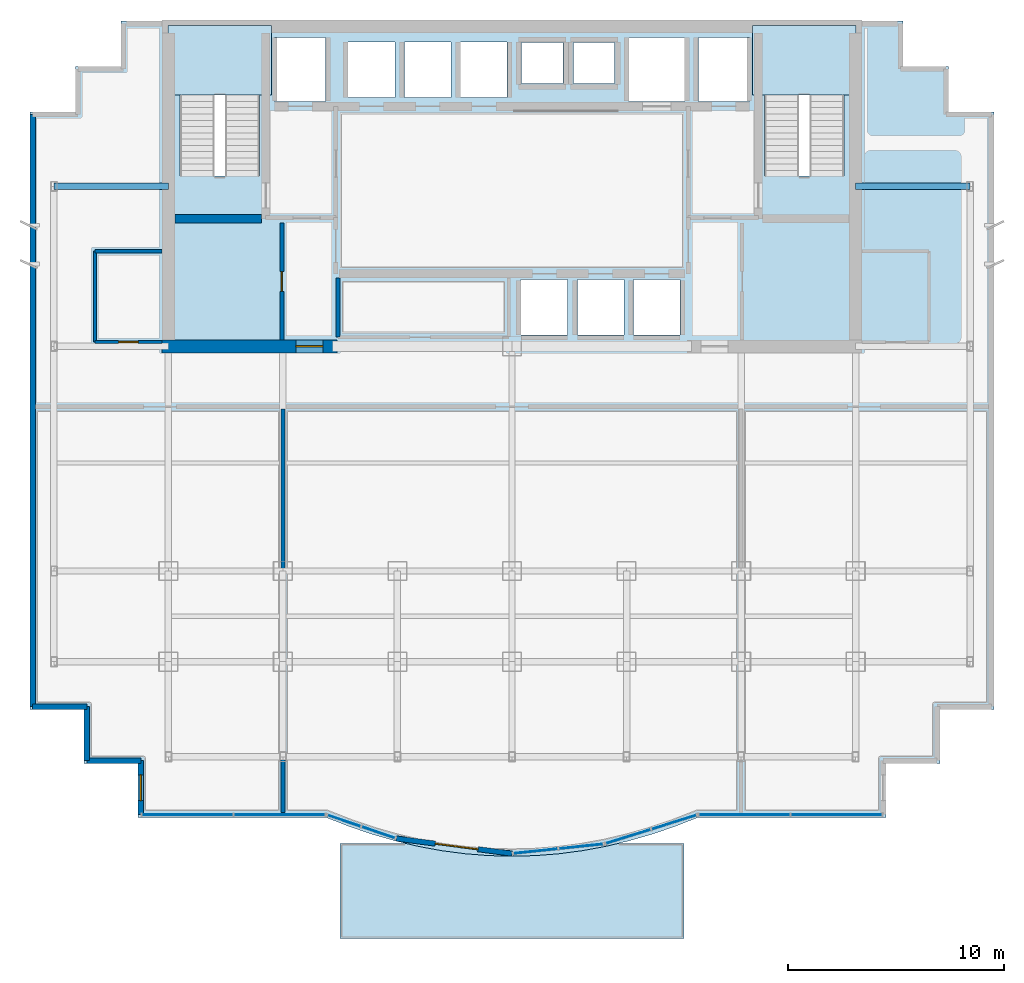
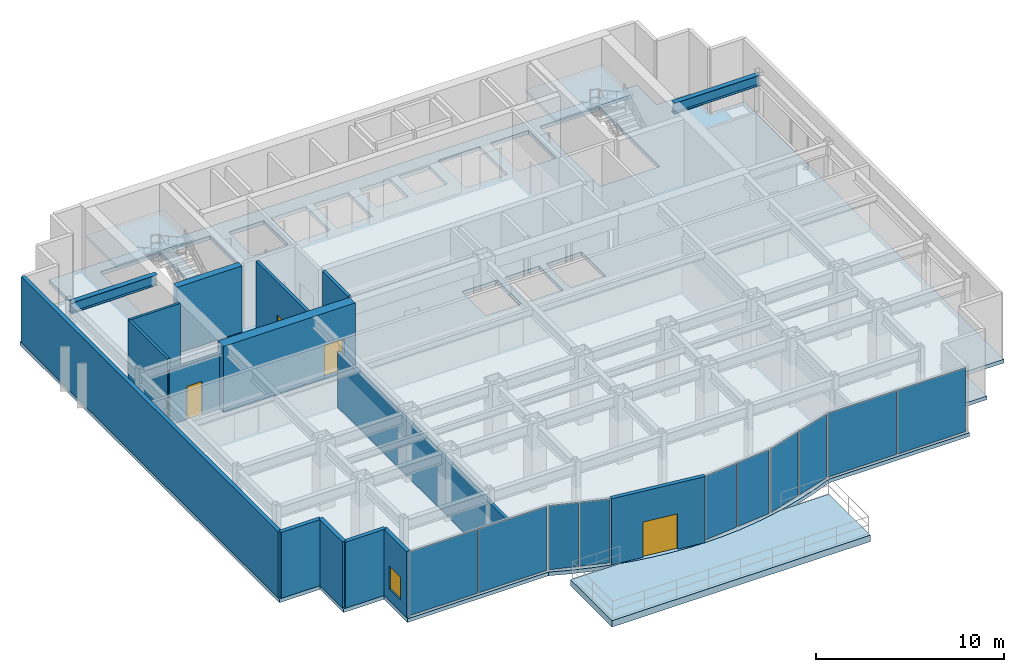
# One storey, part 5 of 9: 14 walls, 10 plates, 4 doors, 4 slabs, 2 beams, 1 window, 5 openings, 7 elements without a shape of their own.
"""IFC4 building model written with IfcOpenShell, lengths in metres."""

from ifc_helpers import new_model, si_unit, direction, frame, frame_2d, origin, origin_2d, place, context, subcontext, project, spatial, polyline, rectangle, i_section, outline, extrude, source, transform, mapped, material, layer, layer_set, material_profile, profile_set, type_object, element, fill, aggregate, save


model = new_model("IFC4")

# Units and contexts
model_context = context("Model", 3, precision=1e-05, world=origin(), true_north=direction((0.0, 1.0)))
body_context = subcontext(model_context, "Body", "Model", "MODEL_VIEW")
ifc_project = project(units=[si_unit("LENGTHUNIT", "METRE"), si_unit("AREAUNIT", "SQUARE_METRE"), si_unit("VOLUMEUNIT", "CUBIC_METRE"), si_unit("PLANEANGLEUNIT", "RADIAN"), si_unit("MASSUNIT", "GRAM", prefix="KILO")], contexts=[model_context])

# Site, building, storey
site_placement = place(None, origin())
site = spatial("IfcSite", under=ifc_project, at=site_placement, CompositionType="ELEMENT")
building_placement = place(site_placement, origin())
building = spatial("IfcBuilding", under=site, at=building_placement, Name="Qianlan Lanfeng Residences", CompositionType="ELEMENT")
storey_placement = place(building_placement, frame((0.0, 0.0, 134.699951171875)))
storey = spatial("IfcBuildingStorey", under=building, at=storey_placement, Name="L36", CompositionType="ELEMENT", Elevation=134.699951171875)

# Beams
ifc_material_1 = material(Name="Steel SN490B", Category="steel")
ifc_material_profile = material_profile(ifc_material_1, i_section(OverallWidth=0.300048828125, OverallDepth=0.699951171875, WebThickness=0.012939453125, FlangeThickness=0.02392578125, at=origin_2d()), Name="H 700x300x13x24")
ifc_profile_set = profile_set([ifc_material_profile], Name="Steel SN490B")
beam_type = type_object("IfcBeamType", Name="G-750", PredefinedType="BEAM", material=ifc_profile_set)
for number, where, z_axis, x_axis, name in (
    (1, (5.300048828125, 32.60009765625, 3.949951171875), (1.0, 0.0, 0.0), (0.0, 1.0, 0.0), "Structural beam G-750"),
    (2, (42.39990234375, 32.60009765625, 3.949951171875), (1.0, 0.0, 0.0), (0.0, 1.0, 0.0), "Structural beam G-750"),
):
    element("IfcBeam", number, at=place(storey_placement, frame(where, z_axis=z_axis, x_axis=x_axis)), inside=storey, type_object=beam_type, Name=name, PredefinedType="BEAM", context=body_context, shape_type="SweptSolid", body=[
        extrude(i_section(OverallWidth=0.300048828125, OverallDepth=0.699951171875, WebThickness=0.012939453125, FlangeThickness=0.02392578125, at=origin_2d()), origin(), (0.0, 0.0, 1.0), 5.300048828125),
    ])

# Slab
ifc_material_2 = material(Name="Concrete C49", Category="concrete")
ifc_layer_1 = layer(ifc_material_2, 0.239990234375)
ifc_layer_set_1 = layer_set([ifc_layer_1], Name="Concrete C49")
slab_type_1 = type_object("IfcSlabType", Name="S-FL-240", PredefinedType="FLOOR", material=ifc_layer_set_1)
slab_1_placement = place(storey_placement, frame((0.0, 0.0, -0.239990234375)))
element("IfcSlab", 3, at=slab_1_placement, inside=storey, type_object=slab_type_1, Name="L36 Structural Floor Slab", PredefinedType="FLOOR", context=body_context, shape_type="SweptSolid", body=[
    extrude(outline(polyline([(4.199951171875, 8.39990234375), (6.699951171875, 8.39990234375), (6.699951171875, 5.89990234375), (9.199951171875, 5.89990234375), (9.199951171875, 3.39990234375), (17.8798828125, 3.39990234375), (18.95703125, 2.97802734375), (20.034912109375, 2.612060546875), (21.112060546875, 2.302978515625), (22.18994140625, 2.050048828125), (23.26708984375, 1.85302734375), (24.344970703125, 1.712890625), (25.422119140625, 1.6279296875), (26.5, 1.60009765625), (27.577880859375, 1.6279296875), (28.655029296875, 1.7119140625), (29.73193359375, 1.85302734375), (30.81005859375, 2.050048828125), (31.886962890625, 2.302978515625), (32.965087890625, 2.612060546875), (34.0419921875, 2.97802734375), (35.1201171875, 3.39990234375), (43.800048828125, 3.39990234375), (43.800048828125, 5.89990234375), (46.300048828125, 5.89990234375), (46.300048828125, 8.39990234375), (48.800048828125, 8.39990234375), (48.800048828125, 36.050048828125), (46.699951171875, 36.050048828125), (46.699951171875, 38.14990234375), (44.60009765625, 38.14990234375), (44.60009765625, 40.25), (8.39990234375, 40.25), (8.39990234375, 38.14990234375), (6.300048828125, 38.14990234375), (6.300048828125, 36.050048828125), (4.199951171875, 36.050048828125), (4.199951171875, 8.39990234375)]), holes=[polyline([(11.139892578125, 33.080078125), (11.139892578125, 39.5), (14.820068359375, 39.5), (14.820068359375, 33.080078125), (11.139892578125, 33.080078125)]), polyline([(38.179931640625, 33.080078125), (38.179931640625, 39.5), (41.860107421875, 39.5), (41.860107421875, 33.080078125), (38.179931640625, 33.080078125)]), polyline([(15.52001953125, 36.52001953125), (15.52001953125, 39.47998046875), (17.8798828125, 39.47998046875), (17.8798828125, 36.52001953125), (15.52001953125, 36.52001953125)]), polyline([(35.1201171875, 36.52001953125), (35.1201171875, 39.47998046875), (37.47998046875, 39.47998046875), (37.47998046875, 36.52001953125), (35.1201171875, 36.52001953125)]), polyline([(31.919921875, 36.52001953125), (31.919921875, 39.47998046875), (34.47998046875, 39.47998046875), (34.47998046875, 36.52001953125), (31.919921875, 36.52001953125)]), polyline([(26.919921875, 25.719970703125), (26.919921875, 28.280029296875), (29.080078125, 28.280029296875), (29.080078125, 25.719970703125), (26.919921875, 25.719970703125)]), polyline([(29.52001953125, 25.719970703125), (29.52001953125, 28.280029296875), (31.679931640625, 28.280029296875), (31.679931640625, 25.719970703125), (29.52001953125, 25.719970703125)]), polyline([(32.1201171875, 25.719970703125), (32.1201171875, 28.280029296875), (34.280029296875, 28.280029296875), (34.280029296875, 25.719970703125), (32.1201171875, 25.719970703125)]), polyline([(18.919921875, 36.719970703125), (18.919921875, 39.280029296875), (21.080078125, 39.280029296875), (21.080078125, 36.719970703125), (18.919921875, 36.719970703125)]), polyline([(21.52001953125, 36.719970703125), (21.52001953125, 39.280029296875), (23.679931640625, 39.280029296875), (23.679931640625, 36.719970703125), (21.52001953125, 36.719970703125)]), polyline([(24.1201171875, 36.719970703125), (24.1201171875, 39.280029296875), (26.280029296875, 39.280029296875), (26.280029296875, 36.719970703125), (24.1201171875, 36.719970703125)]), polyline([(26.949951171875, 37.35009765625), (26.949951171875, 39.25), (28.85009765625, 39.25), (28.85009765625, 37.35009765625), (26.949951171875, 37.35009765625)]), polyline([(29.35009765625, 37.35009765625), (29.35009765625, 39.25), (31.25, 39.25), (31.25, 37.35009765625), (29.35009765625, 37.35009765625)])]), origin(), (0.0, 0.0, 1.0), 0.239990234375),
])

# Stair, slab
ifc_material_3 = material(Name="Concrete C42", Category="concrete")
stair_type = type_object("IfcStairType", Name="STR-MAIN", PredefinedType="HALF_TURN_STAIR", material=ifc_material_3)
stair_1_placement = place(storey_placement, origin())
stair_1 = element("IfcStair", 4, at=stair_1_placement, inside=storey, type_object=stair_type, Name="L36 Exit Stair ST-1", PredefinedType="HALF_TURN_STAIR")
ifc_layer_2 = layer(ifc_material_3, 0.179931640625)
ifc_layer_set_2 = layer_set([ifc_layer_2], Name="Concrete C42")
slab_type_2 = type_object("IfcSlabType", Name="S-LND-180", PredefinedType="LANDING", material=ifc_layer_set_2)
slab_2_placement = place(storey_placement, frame((0.0, 0.0, 2.050048828125)))
slab_2 = element("IfcSlab", 5, at=slab_2_placement, type_object=slab_type_2, Name="ST-1 landing 1", PredefinedType="LANDING", context=body_context, shape_type="SweptSolid", body=[
    extrude(outline(polyline([(10.580078125, 36.820068359375), (15.3798828125, 36.820068359375), (15.3798828125, 40.050048828125), (10.580078125, 40.050048828125), (10.580078125, 36.820068359375)])), origin(), (0.0, 0.0, 1.0), 0.199951171875),
])
aggregate(stair_1, [slab_2])

stair_2_placement = place(storey_placement, origin())
stair_2 = element("IfcStair", 6, at=stair_2_placement, inside=storey, type_object=stair_type, Name="L36 Exit Stair ST-2", PredefinedType="HALF_TURN_STAIR")
slab_3_placement = place(storey_placement, frame((0.0, 0.0, 2.050048828125)))
slab_3 = element("IfcSlab", 7, at=slab_3_placement, type_object=slab_type_2, Name="ST-2 landing 1", PredefinedType="LANDING", context=body_context, shape_type="SweptSolid", body=[
    extrude(outline(polyline([(37.6201171875, 36.820068359375), (42.419921875, 36.820068359375), (42.419921875, 40.050048828125), (37.6201171875, 40.050048828125), (37.6201171875, 36.820068359375)])), origin(), (0.0, 0.0, 1.0), 0.199951171875),
])
aggregate(stair_2, [slab_3])

# Slab
ifc_material_4 = material(Name="Concrete C56", Category="concrete")
ifc_layer_3 = layer(ifc_material_4, 0.419921875)
ifc_layer_set_3 = layer_set([ifc_layer_3], Name="Concrete C56")
slab_type_3 = type_object("IfcSlabType", Name="S-POOL-420", PredefinedType="FLOOR", material=ifc_layer_set_3)
slab_4_placement = place(storey_placement, frame((0.0, 0.0, -0.419921875)))
element("IfcSlab", 8, at=slab_4_placement, inside=storey, type_object=slab_type_3, Name="L36 Cantilevered Sky Pool Deck Slab", PredefinedType="FLOOR", context=body_context, shape_type="SweptSolid", body=[
    extrude(outline(polyline([(31.448974609375, 2.199951171875), (30.81005859375, 2.050048828125), (29.73193359375, 1.85302734375), (28.655029296875, 1.7119140625), (27.577880859375, 1.6279296875), (26.5, 1.60009765625), (25.422119140625, 1.6279296875), (24.344970703125, 1.712890625), (23.26708984375, 1.85302734375), (22.18994140625, 2.050048828125), (21.551025390625, 2.199951171875), (18.550048828125, 2.199951171875), (18.550048828125, -2.199951171875), (34.449951171875, -2.199951171875), (34.449951171875, 2.199951171875), (31.448974609375, 2.199951171875)])), origin(), (0.0, 0.0, 1.0), 0.419921875),
])

# Curtain wall, plates
ifc_material_5 = material(Name="Anodised Bronze Aluminium 6063-T6", Category="aluminium")
ifc_layer_4 = layer(ifc_material_5, 0.219970703125)
ifc_layer_set_4 = layer_set([ifc_layer_4], Name="Anodised Bronze Aluminium 6063-T6")
curtain_wall_type = type_object("IfcCurtainWallType", Name="CW-04", PredefinedType="NOTDEFINED", material=ifc_layer_set_4)
curtain_wall_1_placement = place(storey_placement, origin())
curtain_wall_1 = element("IfcCurtainWall", 9, at=curtain_wall_1_placement, inside=storey, type_object=curtain_wall_type, Name="L36 Unitised Curtain Wall CWR-L36-01 (CW-04)", PredefinedType="NOTDEFINED")
ifc_material_6 = material(Name="Clear Low-E Insulated Glass", Category="glass")
ifc_layer_5 = layer(ifc_material_6, 0.035888671875)
ifc_layer_set_5 = layer_set([ifc_layer_5], Name="Clear Low-E Insulated Glass")
plate_type_1 = type_object("IfcPlateType", Name="PNL-GLZ-CLR", PredefinedType="CURTAIN_PANEL", material=ifc_layer_set_5)
shared_shape_1 = source(origin(), body_context, "Body", "SweptSolid", [
    extrude(rectangle(XDim=4.180908203125, YDim=0.035888671875, at=origin_2d()), origin(), (0.0, 0.0, 1.0), 4.152099609375),
])
plate_1_placement = place(storey_placement, frame((11.484619140625, 3.52001953125, 0.07421875), z_axis=(0.0, 0.0, 1.0), x_axis=(1.0, 0.0, 0.0)))
plate_1 = element("IfcPlate", 10, at=plate_1_placement, type_object=plate_type_1, Name="CWR-L36-01 Curtain Panel 1", PredefinedType="CURTAIN_PANEL", context=body_context, shape_type="MappedRepresentation", body=[
    mapped(shared_shape_1, transform((0.0, 0.0, 0.0), scale=1.0)),
])
plate_2_placement = place(storey_placement, frame((15.738525390625, 3.52001953125, 0.07421875), z_axis=(0.0, 0.0, 1.0), x_axis=(1.0, 0.0, 0.0)))
plate_2 = element("IfcPlate", 11, at=plate_2_placement, type_object=plate_type_1, Name="CWR-L36-01 Curtain Panel 2", PredefinedType="CURTAIN_PANEL", context=body_context, shape_type="MappedRepresentation", body=[
    mapped(shared_shape_1, transform((0.0, 0.0, 0.0), scale=1.0)),
])
aggregate(curtain_wall_1, [plate_1, plate_2])

curtain_wall_2_placement = place(storey_placement, origin())
curtain_wall_2 = element("IfcCurtainWall", 12, at=curtain_wall_2_placement, inside=storey, type_object=curtain_wall_type, Name="L36 Unitised Curtain Wall CWR-L36-05 (CW-04)", PredefinedType="NOTDEFINED")
plate_3_placement = place(storey_placement, frame((37.261474609375, 3.52001953125, 0.07421875), z_axis=(0.0, 0.0, 1.0), x_axis=(1.0, 0.0, 0.0)))
plate_3 = element("IfcPlate", 13, at=plate_3_placement, type_object=plate_type_1, Name="CWR-L36-05 Curtain Panel 1", PredefinedType="CURTAIN_PANEL", context=body_context, shape_type="MappedRepresentation", body=[
    mapped(shared_shape_1, transform((0.0, 0.0, 0.0), scale=1.0)),
])
plate_4_placement = place(storey_placement, frame((41.515380859375, 3.52001953125, 0.07421875), z_axis=(0.0, 0.0, 1.0), x_axis=(1.0, 0.0, 0.0)))
plate_4 = element("IfcPlate", 14, at=plate_4_placement, type_object=plate_type_1, Name="CWR-L36-05 Curtain Panel 2", PredefinedType="CURTAIN_PANEL", context=body_context, shape_type="MappedRepresentation", body=[
    mapped(shared_shape_1, transform((0.0, 0.0, 0.0), scale=1.0)),
])
aggregate(curtain_wall_2, [plate_3, plate_4])

curtain_wall_3_placement = place(storey_placement, origin())
curtain_wall_3 = element("IfcCurtainWall", 15, at=curtain_wall_3_placement, inside=storey, type_object=curtain_wall_type, Name="L36 Unitised Curtain Wall CWR-L36-02 (CW-04)", PredefinedType="NOTDEFINED")
shared_shape_2 = source(origin(), body_context, "Body", "SweptSolid", [
    extrude(rectangle(XDim=1.60009765625, YDim=0.035888671875, at=origin_2d()), origin(), (0.0, 0.0, 1.0), 4.152099609375),
])
plate_5_placement = place(storey_placement, frame((18.73046875, 3.23876953125, 0.07421875), z_axis=(0.0, 0.0, 1.0), x_axis=(0.946795963885, -0.321834433787, 0.0)))
plate_5 = element("IfcPlate", 16, at=plate_5_placement, type_object=plate_type_1, Name="CWR-L36-02 Curtain Panel 1", PredefinedType="CURTAIN_PANEL", context=body_context, shape_type="MappedRepresentation", body=[
    mapped(shared_shape_2, transform((0.0, 0.0, 0.0), scale=1.0)),
])
ifc_material_7 = material(Name="Perforated Champagne Gold Aluminium Panel", Category="aluminium")
ifc_layer_6 = layer(ifc_material_7, 0.0400390625)
ifc_layer_set_6 = layer_set([ifc_layer_6], Name="Perforated Champagne Gold Aluminium Panel")
plate_type_2 = type_object("IfcPlateType", Name="PNL-PRF-GLD", PredefinedType="CURTAIN_PANEL", material=ifc_layer_set_6)
shared_shape_3 = source(origin(), body_context, "Body", "SweptSolid", [
    extrude(rectangle(XDim=1.60009765625, YDim=0.0400390625, at=origin_2d()), origin(), (0.0, 0.0, 1.0), 4.152099609375),
])
plate_6_placement = place(storey_placement, frame((20.314453125, 2.7001953125, 0.07421875), z_axis=(0.0, 0.0, 1.0), x_axis=(0.946795963885, -0.321834433787, 0.0)))
plate_6 = element("IfcPlate", 17, at=plate_6_placement, type_object=plate_type_2, Name="CWR-L36-02 Curtain Panel 2", PredefinedType="CURTAIN_PANEL", context=body_context, shape_type="MappedRepresentation", body=[
    mapped(shared_shape_3, transform((0.0, 0.0, 0.0), scale=1.0)),
])
aggregate(curtain_wall_3, [plate_5, plate_6])

curtain_wall_4_placement = place(storey_placement, origin())
curtain_wall_4 = element("IfcCurtainWall", 18, at=curtain_wall_4_placement, inside=storey, type_object=curtain_wall_type, Name="L36 Unitised Curtain Wall CWR-L36-03 (CW-04)", PredefinedType="NOTDEFINED")
shared_shape_4 = source(origin(), body_context, "Body", "SweptSolid", [
    extrude(rectangle(XDim=2.043701171875, YDim=0.035888671875, at=origin_2d()), origin(), (0.0, 0.0, 1.0), 4.152099609375),
])
plate_7_placement = place(storey_placement, frame((27.58984375, 1.833984375, 0.07421875), z_axis=(0.0, 0.0, 1.0), x_axis=(0.994579031105, 0.103983416397, 0.0)))
plate_7 = element("IfcPlate", 19, at=plate_7_placement, type_object=plate_type_1, Name="CWR-L36-03 Curtain Panel 1", PredefinedType="CURTAIN_PANEL", context=body_context, shape_type="MappedRepresentation", body=[
    mapped(shared_shape_4, transform((0.0, 0.0, 0.0), scale=1.0)),
])
plate_8_placement = place(storey_placement, frame((29.695068359375, 2.05419921875, 0.07421875), z_axis=(0.0, 0.0, 1.0), x_axis=(0.994579031105, 0.103983416397, 0.0)))
plate_8 = element("IfcPlate", 20, at=plate_8_placement, type_object=plate_type_1, Name="CWR-L36-03 Curtain Panel 2", PredefinedType="CURTAIN_PANEL", context=body_context, shape_type="MappedRepresentation", body=[
    mapped(shared_shape_4, transform((0.0, 0.0, 0.0), scale=1.0)),
])
aggregate(curtain_wall_4, [plate_7, plate_8])

curtain_wall_5_placement = place(storey_placement, origin())
curtain_wall_5 = element("IfcCurtainWall", 21, at=curtain_wall_5_placement, inside=storey, type_object=curtain_wall_type, Name="L36 Unitised Curtain Wall CWR-L36-04 (CW-04)", PredefinedType="NOTDEFINED")
shared_shape_5 = source(origin(), body_context, "Body", "SweptSolid", [
    extrude(rectangle(XDim=2.14892578125, YDim=0.035888671875, at=origin_2d()), origin(), (0.0, 0.0, 1.0), 4.152099609375),
])
plate_9_placement = place(storey_placement, frame((31.880859375, 2.51171875, 0.07421875), z_axis=(0.0, 0.0, 1.0), x_axis=(0.954195954421, 0.299182353367, 0.0)))
plate_9 = element("IfcPlate", 22, at=plate_9_placement, type_object=plate_type_1, Name="CWR-L36-04 Curtain Panel 1", PredefinedType="CURTAIN_PANEL", context=body_context, shape_type="MappedRepresentation", body=[
    mapped(shared_shape_5, transform((0.0, 0.0, 0.0), scale=1.0)),
])
shared_shape_6 = source(origin(), body_context, "Body", "SweptSolid", [
    extrude(rectangle(XDim=2.14892578125, YDim=0.0400390625, at=origin_2d()), origin(), (0.0, 0.0, 1.0), 4.152099609375),
])
plate_10_placement = place(storey_placement, frame((34.001220703125, 3.176513671875, 0.07421875), z_axis=(0.0, 0.0, 1.0), x_axis=(0.954195954421, 0.299182353367, 0.0)))
plate_10 = element("IfcPlate", 23, at=plate_10_placement, type_object=plate_type_2, Name="CWR-L36-04 Curtain Panel 2", PredefinedType="CURTAIN_PANEL", context=body_context, shape_type="MappedRepresentation", body=[
    mapped(shared_shape_6, transform((0.0, 0.0, 0.0), scale=1.0)),
])
aggregate(curtain_wall_5, [plate_9, plate_10])

# Wall
ifc_layer_7 = layer(ifc_material_4, 0.39990234375)
ifc_layer_set_7 = layer_set([ifc_layer_7], Name="Concrete C56")
wall_type_1 = type_object("IfcWallType", Name="CW-RC-400", PredefinedType="SHEAR", material=ifc_layer_set_7)
wall_1_placement = place(storey_placement, frame((10.89990234375, 31.10009765625, 0.0), z_axis=(0.0, 0.0, 1.0), x_axis=(1.0, 0.0, 0.0)))
element("IfcWall", 24, at=wall_1_placement, inside=storey, type_object=wall_type_1, Name="L36 Core Shear Wall ST1S", PredefinedType="SHEAR", context=body_context, shape_type="SweptSolid", body=[
    extrude(rectangle(XDim=4.0, YDim=0.39990234375, at=frame_2d((2.0, 0.0))), origin(), (0.0, 0.0, 1.0), 4.300048828125),
])

# Wall, opening, door
ifc_layer_8 = layer(ifc_material_4, 0.60009765625)
ifc_layer_set_8 = layer_set([ifc_layer_8], Name="Concrete C56")
wall_type_2 = type_object("IfcWallType", Name="CW-RC-600", PredefinedType="SHEAR", material=ifc_layer_set_8)
wall_2_placement = place(storey_placement, frame((10.300048828125, 25.199951171875, 0.0), z_axis=(0.0, 0.0, 1.0), x_axis=(1.0, 0.0, 0.0)))
wall_2 = element("IfcWall", 25, at=wall_2_placement, inside=storey, type_object=wall_type_2, Name="L36 Core Shear Wall SW", PredefinedType="SHEAR", context=body_context, shape_type="SweptSolid", body=[
    extrude(rectangle(XDim=8.099853515625, YDim=0.60009765625, at=frame_2d((4.0498046875, 0.0))), origin(), (0.0, 0.0, 1.0), 4.300048828125),
])
opening_1_placement = place(wall_2_placement, frame((6.199951171875, 0.0, 0.0)))
opening_1 = element("IfcOpeningElement", 26, at=opening_1_placement, cuts=wall_2, Name="Opening L36-D01", PredefinedType="OPENING", context=body_context, shape_type="SweptSolid", body=[
    extrude(rectangle(XDim=1.25, YDim=2.199951171875, at=frame_2d((0.625, 1.10009765625))), frame((0.0, 0.31005859375, 0.0), z_axis=(0.0, -1.0, 0.0), x_axis=(1.0, 0.0, 0.0)), (0.0, 0.0, 1.0), 0.6201171875),
])
ifc_material_8 = material(Name="Painted Galvanised Steel Fire Door", Category="steel")
door_type_1 = type_object("IfcDoorType", Name="DT-FFL", OperationType="NOTDEFINED", PredefinedType="DOOR", material=ifc_material_8)
door_1_placement = place(opening_1_placement, origin())
door_1 = element("IfcDoor", 27, at=door_1_placement, inside=storey, type_object=door_type_1, Name="L36 West Core Lobby Smoke Door L36-D01 (DT-FFL)", OperationType="SINGLE_SWING_RIGHT", OverallHeight=2.199951171875, OverallWidth=1.25, PredefinedType="DOOR", context=body_context, shape_type="SweptSolid", body=[
    extrude(rectangle(XDim=1.25, YDim=2.199951171875, at=frame_2d((0.625, 1.10009765625))), frame((0.0, 0.02490234375, 0.0), z_axis=(0.0, -1.0, 0.0), x_axis=(1.0, 0.0, 0.0)), (0.0, 0.0, 1.0), 0.050048828125),
])
fill(opening_1, door_1)

# Walls
ifc_layer_9 = layer(ifc_material_3, 0.239990234375)
ifc_layer_set_9 = layer_set([ifc_layer_9], Name="Concrete C42")
wall_type_3 = type_object("IfcWallType", Name="EW-240", PredefinedType="SOLIDWALL", material=ifc_layer_set_9)
for number, where, z_axis, x_axis, name in (
    (28, (4.320068359375, 8.52001953125, 0.0), (0.0, 0.0, 1.0), (1.0, 0.0, 0.0), "L36 Exterior Facade Spandrel Wall 1"),
    (29, (6.820068359375, 8.52001953125, 0.0), (0.0, 0.0, 1.0), (0.0, -1.0, 0.0), "L36 Exterior Facade Spandrel Wall 2"),
    (30, (6.820068359375, 6.02001953125, 0.0), (0.0, 0.0, 1.0), (1.0, 0.0, 0.0), "L36 Exterior Facade Spandrel Wall 3"),
):
    element("IfcWall", number, at=place(storey_placement, frame(where, z_axis=z_axis, x_axis=x_axis)), inside=storey, type_object=wall_type_3, Name=name, PredefinedType="SOLIDWALL", context=body_context, shape_type="SweptSolid", body=[
        extrude(rectangle(XDim=2.5, YDim=0.239990234375, at=frame_2d((1.25, 0.0))), origin(), (0.0, 0.0, 1.0), 4.300048828125),
    ])

# Wall, opening, window
wall_3_placement = place(storey_placement, frame((9.320068359375, 6.02001953125, 0.0), z_axis=(0.0, 0.0, 1.0), x_axis=(0.0, -1.0, 0.0)))
wall_3 = element("IfcWall", 31, at=wall_3_placement, inside=storey, type_object=wall_type_3, Name="L36 Exterior Facade Spandrel Wall 4", PredefinedType="SOLIDWALL", context=body_context, shape_type="SweptSolid", body=[
    extrude(rectangle(XDim=2.5, YDim=0.239990234375, at=frame_2d((1.25, 0.0))), origin(), (0.0, 0.0, 1.0), 4.300048828125),
])
opening_2_placement = place(wall_3_placement, frame((0.64990234375, 0.0, 0.75)))
opening_2 = element("IfcOpeningElement", 32, at=opening_2_placement, cuts=wall_3, Name="Opening W-03", PredefinedType="OPENING", context=body_context, shape_type="SweptSolid", body=[
    extrude(rectangle(XDim=1.199951171875, YDim=1.5, at=frame_2d((0.60009765625, 0.75))), frame((0.0, 0.1298828125, 0.0), z_axis=(0.0, -1.0, 0.0), x_axis=(1.0, 0.0, 0.0)), (0.0, 0.0, 1.0), 0.260009765625),
])
ifc_material_9 = material(Name="Anodised Bronze Aluminium Framed Double Glazing", Category="aluminium")
window_type = type_object("IfcWindowType", Name="W-03", PartitioningType="SINGLE_PANEL", PredefinedType="WINDOW", material=ifc_material_9)
window_placement = place(opening_2_placement, origin())
window = element("IfcWindow", 33, at=window_placement, inside=storey, type_object=window_type, Name="L36 Facade Punched Window W-03", OverallHeight=1.5, OverallWidth=1.199951171875, PartitioningType="SINGLE_PANEL", PredefinedType="WINDOW", context=body_context, shape_type="SweptSolid", body=[
    extrude(rectangle(XDim=1.199951171875, YDim=1.5, at=frame_2d((0.60009765625, 0.75))), frame((0.0, 0.030029296875, 0.0), z_axis=(0.0, -1.0, 0.0), x_axis=(1.0, 0.0, 0.0)), (0.0, 0.0, 1.0), 0.06005859375),
])
fill(opening_2, window)

# Wall, opening, door
wall_4_placement = place(storey_placement, frame((21.14208984375, 2.4189453125, 0.0), z_axis=(0.0, 0.0, 1.0), x_axis=(0.991597639478, -0.129360432053, 0.0)))
wall_4 = element("IfcWall", 34, at=wall_4_placement, inside=storey, type_object=wall_type_3, Name="L36 Terrace/Balcony Access Exterior Wall 5", PredefinedType="SOLIDWALL", context=body_context, shape_type="SweptSolid", body=[
    extrude(rectangle(XDim=5.4033203125, YDim=0.239990234375, at=frame_2d((2.70166015625, 0.0))), origin(), (0.0, 0.0, 1.0), 4.300048828125),
])
opening_3_placement = place(wall_4_placement, frame((1.81689453125, 0.0, 0.0)))
opening_3 = element("IfcOpeningElement", 35, at=opening_3_placement, cuts=wall_4, Name="Opening L36-D-POOL1", PredefinedType="OPENING", context=body_context, shape_type="SweptSolid", body=[
    extrude(rectangle(XDim=2.0, YDim=2.300048828125, at=frame_2d((1.0, 1.14990234375))), frame((0.0, 0.1298828125, 0.0), z_axis=(0.0, -1.0, 0.0), x_axis=(1.0, 0.0, 0.0)), (0.0, 0.0, 1.0), 0.260009765625),
])
ifc_material_10 = material(Name="Anodised Bronze Aluminium Framed Glass", Category="aluminium")
door_type_2 = type_object("IfcDoorType", Name="DT-POOL1", OperationType="NOTDEFINED", PredefinedType="DOOR", material=ifc_material_10)
door_2_placement = place(opening_3_placement, frame((2.0, 0.0, 0.0), z_axis=(0.0, 0.0, 1.0), x_axis=(-1.0, 0.0, 0.0)))
door_2 = element("IfcDoor", 36, at=door_2_placement, inside=storey, type_object=door_type_2, Name="L36 Exterior Access Door POOL1", OperationType="DOUBLE_DOOR_SLIDING", OverallHeight=2.300048828125, OverallWidth=2.0, PredefinedType="DOOR", context=body_context, shape_type="SweptSolid", body=[
    extrude(rectangle(XDim=2.0, YDim=2.300048828125, at=frame_2d((1.0, 1.14990234375))), frame((0.0, 0.02490234375, 0.0), z_axis=(0.0, -1.0, 0.0), x_axis=(1.0, 0.0, 0.0)), (0.0, 0.0, 1.0), 0.050048828125),
])
fill(opening_3, door_2)

# Wall
wall_5_placement = place(storey_placement, frame((4.320068359375, 35.929931640625, 0.0), z_axis=(0.0, 0.0, 1.0), x_axis=(0.0, -1.0, 0.0)))
element("IfcWall", 37, at=wall_5_placement, inside=storey, type_object=wall_type_3, Name="L36 Exterior Facade Spandrel Wall 21", PredefinedType="SOLIDWALL", context=body_context, shape_type="SweptSolid", body=[
    extrude(rectangle(XDim=27.409912109375, YDim=0.239990234375, at=frame_2d((13.705078125, 0.0))), origin(), (0.0, 0.0, 1.0), 4.300048828125),
])

# Wall, opening, door
ifc_material_11 = material(Name="Acoustic Drywall Partition 150 mm")
ifc_layer_10 = layer(ifc_material_11, 0.14990234375)
ifc_layer_set_10 = layer_set([ifc_layer_10], Name="Acoustic Drywall Partition 150 mm")
wall_type_4 = type_object("IfcWallType", Name="PW-150", PredefinedType="PARTITIONING", material=ifc_layer_set_10)
wall_6_placement = place(storey_placement, frame((7.199951171875, 25.39990234375, 0.0), z_axis=(0.0, 0.0, 1.0), x_axis=(1.0, 0.0, 0.0)))
wall_6 = element("IfcWall", 38, at=wall_6_placement, inside=storey, type_object=wall_type_4, Name="L36 Restroom South Wall", PredefinedType="PARTITIONING", context=body_context, shape_type="SweptSolid", body=[
    extrude(rectangle(XDim=3.10009765625, YDim=0.14990234375, at=frame_2d((1.550048828125, 0.0))), origin(), (0.0, 0.0, 1.0), 3.594970703125),
])
opening_4_placement = place(wall_6_placement, frame((1.10009765625, 0.0, 0.0)))
opening_4 = element("IfcOpeningElement", 39, at=opening_4_placement, cuts=wall_6, Name="Opening L36-D17", PredefinedType="OPENING", context=body_context, shape_type="SweptSolid", body=[
    extrude(rectangle(XDim=0.89990234375, YDim=2.14990234375, at=frame_2d((0.449951171875, 1.074951171875))), frame((0.0, 0.0849609375, 0.0), z_axis=(0.0, -1.0, 0.0), x_axis=(1.0, 0.0, 0.0)), (0.0, 0.0, 1.0), 0.169921875),
])
ifc_material_12 = material(Name="Moisture-Resistant Timber Leaf", Category="wood")
door_type_3 = type_object("IfcDoorType", Name="DT-WC", OperationType="NOTDEFINED", PredefinedType="DOOR", material=ifc_material_12)
door_3_placement = place(opening_4_placement, origin())
door_3 = element("IfcDoor", 40, at=door_3_placement, inside=storey, type_object=door_type_3, Name="L36 Public Restroom Door L36-D17 (DT-WC)", OperationType="SINGLE_SWING_RIGHT", OverallHeight=2.14990234375, OverallWidth=0.89990234375, PredefinedType="DOOR", context=body_context, shape_type="SweptSolid", body=[
    extrude(rectangle(XDim=0.89990234375, YDim=2.14990234375, at=frame_2d((0.449951171875, 1.074951171875))), frame((0.0, 0.02490234375, 0.0), z_axis=(0.0, -1.0, 0.0), x_axis=(1.0, 0.0, 0.0)), (0.0, 0.0, 1.0), 0.050048828125),
])
fill(opening_4, door_3)

# Walls
wall_7_placement = place(storey_placement, frame((7.199951171875, 25.39990234375, 0.0), z_axis=(0.0, 0.0, 1.0), x_axis=(0.0, 1.0, 0.0)))
element("IfcWall", 41, at=wall_7_placement, inside=storey, type_object=wall_type_4, Name="L36 Restroom West Wall", PredefinedType="PARTITIONING", context=body_context, shape_type="SweptSolid", body=[
    extrude(rectangle(XDim=4.2001953125, YDim=0.14990234375, at=frame_2d((2.10009765625, 0.0))), origin(), (0.0, 0.0, 1.0), 4.300048828125),
])
wall_8_placement = place(storey_placement, frame((7.199951171875, 29.60009765625, 0.0), z_axis=(0.0, 0.0, 1.0), x_axis=(1.0, 0.0, 0.0)))
element("IfcWall", 42, at=wall_8_placement, inside=storey, type_object=wall_type_4, Name="L36 Restroom North Wall", PredefinedType="PARTITIONING", context=body_context, shape_type="SweptSolid", body=[
    extrude(rectangle(XDim=3.10009765625, YDim=0.14990234375, at=frame_2d((1.550048828125, 0.0))), origin(), (0.0, 0.0, 1.0), 4.300048828125),
])

# Wall, opening, door
ifc_material_13 = material(Name="Double-Layer Acoustic Gypsum Stud Wall 180 mm")
ifc_layer_11 = layer(ifc_material_13, 0.179931640625)
ifc_layer_set_11 = layer_set([ifc_layer_11], Name="Double-Layer Acoustic Gypsum Stud Wall 180 mm")
wall_type_5 = type_object("IfcWallType", Name="PW-180", PredefinedType="PARTITIONING", material=ifc_layer_set_11)
wall_9_placement = place(storey_placement, frame((15.85009765625, 25.5, 0.0), z_axis=(0.0, 0.0, 1.0), x_axis=(0.0, 1.0, 0.0)))
wall_9 = element("IfcWall", 43, at=wall_9_placement, inside=storey, type_object=wall_type_5, Name="L36 Core West Service Room Wall", PredefinedType="PARTITIONING", context=body_context, shape_type="SweptSolid", body=[
    extrude(rectangle(XDim=5.39990234375, YDim=0.179931640625, at=frame_2d((2.699951171875, 0.0))), origin(), (0.0, 0.0, 1.0), 4.300048828125),
])
opening_5_placement = place(wall_9_placement, frame((2.239990234375, 0.0, 0.0)))
opening_5 = element("IfcOpeningElement", 44, at=opening_5_placement, cuts=wall_9, Name="Opening L36-D09", PredefinedType="OPENING", context=body_context, shape_type="SweptSolid", body=[
    extrude(rectangle(XDim=0.919921875, YDim=2.14990234375, at=frame_2d((0.4599609375, 1.074951171875))), frame((0.0, 0.10009765625, 0.0), z_axis=(0.0, -1.0, 0.0), x_axis=(1.0, 0.0, 0.0)), (0.0, 0.0, 1.0), 0.199951171875),
])
ifc_material_14 = material(Name="Glazed Timber Kitchen/Study Door", Category="wood")
door_type_4 = type_object("IfcDoorType", Name="DT-INT", OperationType="NOTDEFINED", PredefinedType="DOOR", material=ifc_material_14)
door_4_placement = place(opening_5_placement, origin())
door_4 = element("IfcDoor", 45, at=door_4_placement, inside=storey, type_object=door_type_4, Name="L36 Core Storage Door L36-D09 (DT-INT)", OperationType="SINGLE_SWING_RIGHT", OverallHeight=2.14990234375, OverallWidth=0.919921875, PredefinedType="DOOR", context=body_context, shape_type="SweptSolid", body=[
    extrude(rectangle(XDim=0.919921875, YDim=2.14990234375, at=frame_2d((0.4599609375, 1.074951171875))), frame((0.0, 0.02490234375, 0.0), z_axis=(0.0, -1.0, 0.0), x_axis=(1.0, 0.0, 0.0)), (0.0, 0.0, 1.0), 0.050048828125),
])
fill(opening_5, door_4)

# Walls
wall_10_placement = place(storey_placement, frame((18.449951171875, 25.6201171875, 0.0), z_axis=(0.0, 0.0, 1.0), x_axis=(0.0, 1.0, 0.0)))
element("IfcWall", 46, at=wall_10_placement, inside=storey, type_object=wall_type_5, Name="L36 Reclaimed Low-Bank Room West Wall", PredefinedType="PARTITIONING", context=body_context, shape_type="SweptSolid", body=[
    extrude(rectangle(XDim=2.72998046875, YDim=0.179931640625, at=frame_2d((1.364990234375, 0.0))), origin(), (0.0, 0.0, 1.0), 4.300048828125),
])
wall_11_placement = place(storey_placement, frame((15.89990234375, 3.6201171875, 0.0), z_axis=(0.0, 0.0, 1.0), x_axis=(0.0, 1.0, 0.0)))
element("IfcWall", 47, at=wall_11_placement, inside=storey, type_object=wall_type_5, Name="L36 West Lounge Partition", PredefinedType="PARTITIONING", context=body_context, shape_type="SweptSolid", body=[
    extrude(rectangle(XDim=18.679931640625, YDim=0.179931640625, at=frame_2d((9.33984375, 0.0))), origin(), (0.0, 0.0, 1.0), 3.594970703125),
])

save(model, "model.ifc")
